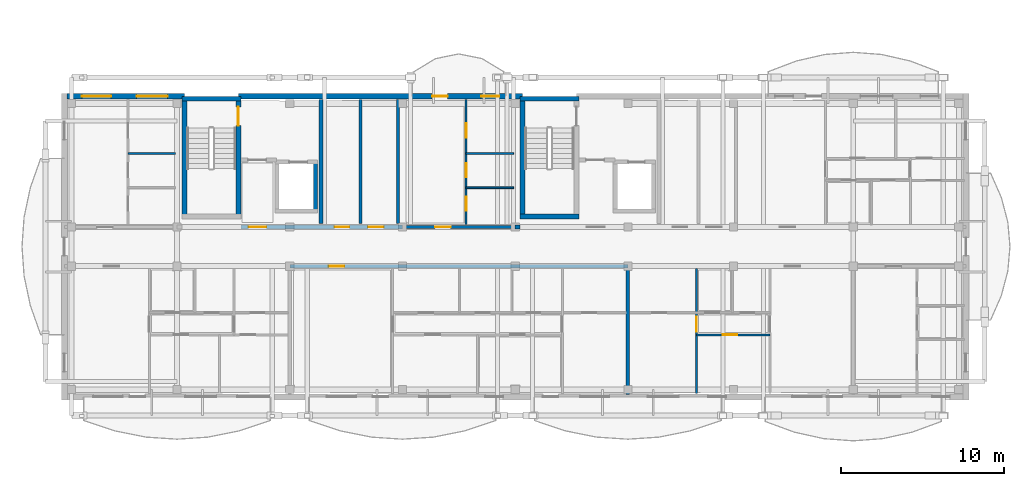
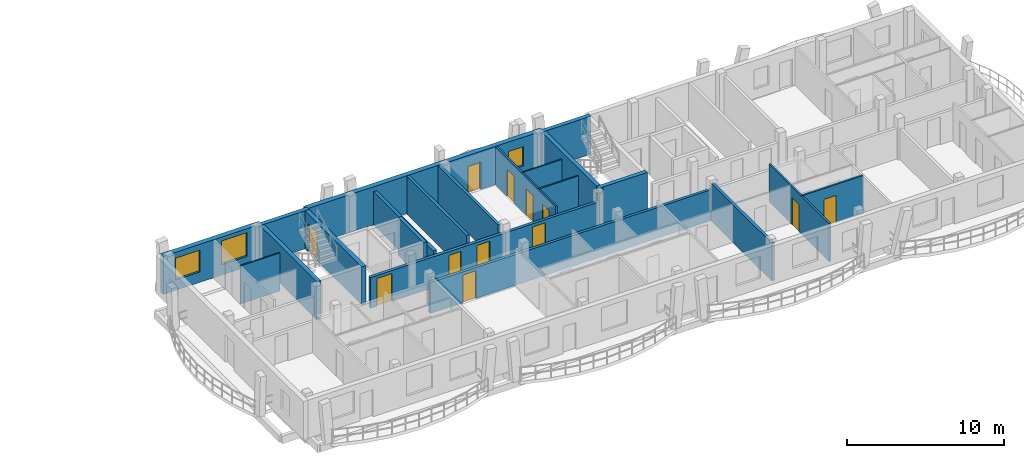
# One storey, part 17 of 48: 23 walls, 12 doors, 3 windows, 15 openings.
"""IFC4 building model written with IfcOpenShell, lengths in metres."""

from ifc_helpers import new_model, si_unit, direction, frame, frame_2d, origin, origin_with_axes, place, context, subcontext, project, spatial, rectangle, extrude, material, layer, layer_set, type_object, element, fill, save


model = new_model("IFC4")

# Units and contexts
model_context = context("Model", 3, precision=1e-05, world=origin(), true_north=direction((0.0, 1.0)))
body_context = subcontext(model_context, "Body", "Model", "MODEL_VIEW")
ifc_project = project(units=[si_unit("LENGTHUNIT", "METRE"), si_unit("AREAUNIT", "SQUARE_METRE"), si_unit("VOLUMEUNIT", "CUBIC_METRE"), si_unit("PLANEANGLEUNIT", "RADIAN"), si_unit("MASSUNIT", "GRAM", prefix="KILO")], contexts=[model_context])

# Site, building, storey
site_placement = place(None, origin())
site = spatial("IfcSite", under=ifc_project, at=site_placement, CompositionType="ELEMENT")
building_placement = place(site_placement, origin())
building = spatial("IfcBuilding", under=site, at=building_placement, Name="Zavelmont Quarter", CompositionType="ELEMENT")
storey_placement = place(building_placement, frame((0.0, 0.0, 17.60009765625)))
storey = spatial("IfcBuildingStorey", under=building, at=storey_placement, Name="L05", CompositionType="ELEMENT", Elevation=17.60009765625)

# Wall, openings, windows
ifc_material_1 = material(Name="Natural Belgian limestone", Category="masonry")
ifc_layer_1 = layer(ifc_material_1, 0.360107421875)
ifc_layer_set_1 = layer_set([ifc_layer_1], Name="Natural Belgian limestone")
wall_type_1 = type_object("IfcWallType", Name="EW02", PredefinedType="STANDARD", material=ifc_layer_set_1)
wall_1_placement = place(storey_placement, frame((0.169921875, 18.39990234375, 0.0), z_axis=(0.0, 0.0, 1.0), x_axis=(1.0, 0.0, 0.0)))
wall_1 = element("IfcWall", 1, at=wall_1_placement, inside=storey, type_object=wall_type_1, Name="L05 exterior limestone wall EW02", PredefinedType="STANDARD", context=body_context, shape_type="SweptSolid", body=[
    extrude(rectangle(XDim=7.18017578125, YDim=0.360107421875, at=frame_2d((3.590087890625, 0.0))), origin(), (0.0, 0.0, 1.0), 2.949951171875),
])
opening_1_placement = place(wall_1_placement, frame((0.89990234375, 0.0, 0.800048828125)))
opening_1 = element("IfcOpeningElement", 2, at=opening_1_placement, cuts=wall_1, Name="Opening WN02", PredefinedType="OPENING", context=body_context, shape_type="SweptSolid", body=[
    extrude(rectangle(XDim=1.800048828125, YDim=1.699951171875, at=frame_2d((0.89990234375, 0.85009765625))), frame((0.0, 0.19189453125, 0.0), z_axis=(0.0, -1.0, 0.0), x_axis=(1.0, 0.0, 0.0)), (0.0, 0.0, 1.0), 0.384033203125),
])
opening_2_placement = place(wall_1_placement, frame((4.25, 0.0, 0.800048828125)))
opening_2 = element("IfcOpeningElement", 3, at=opening_2_placement, cuts=wall_1, Name="Opening WN20", PredefinedType="OPENING", context=body_context, shape_type="SweptSolid", body=[
    extrude(rectangle(XDim=1.89990234375, YDim=1.85009765625, at=frame_2d((0.949951171875, 0.925048828125))), frame((0.0, 0.19189453125, 0.0), z_axis=(0.0, -1.0, 0.0), x_axis=(1.0, 0.0, 0.0)), (0.0, 0.0, 1.0), 0.384033203125),
])
ifc_material_2 = material(Name="Double low-E insulated glazing in thermally broken aluminium frame", Category="aluminium")
window_type_1 = type_object("IfcWindowType", Name="WN02", PartitioningType="SINGLE_PANEL", PredefinedType="WINDOW", material=ifc_material_2)
window_1_placement = place(opening_1_placement, origin_with_axes())
window_1 = element("IfcWindow", 4, at=window_1_placement, inside=storey, type_object=window_type_1, Name="L05 window WN02", OverallHeight=1.699951171875, OverallWidth=1.800048828125, PartitioningType="SINGLE_PANEL", PredefinedType="WINDOW", context=body_context, shape_type="SweptSolid", body=[
    extrude(rectangle(XDim=1.800048828125, YDim=1.699951171875, at=frame_2d((0.89990234375, 0.85009765625))), frame((0.0, 0.030029296875, 0.0), z_axis=(0.0, -1.0, 0.0), x_axis=(1.0, 0.0, 0.0)), (0.0, 0.0, 1.0), 0.06005859375),
])
fill(opening_1, window_1)
window_type_2 = type_object("IfcWindowType", Name="WN20", PartitioningType="SINGLE_PANEL", PredefinedType="WINDOW", material=ifc_material_2)
window_2_placement = place(opening_2_placement, origin_with_axes())
window_2 = element("IfcWindow", 5, at=window_2_placement, inside=storey, type_object=window_type_2, Name="L05 window WN20", OverallHeight=1.85009765625, OverallWidth=1.89990234375, PartitioningType="SINGLE_PANEL", PredefinedType="WINDOW", context=body_context, shape_type="SweptSolid", body=[
    extrude(rectangle(XDim=1.89990234375, YDim=1.85009765625, at=frame_2d((0.949951171875, 0.925048828125))), frame((0.0, 0.030029296875, 0.0), z_axis=(0.0, -1.0, 0.0), x_axis=(1.0, 0.0, 0.0)), (0.0, 0.0, 1.0), 0.06005859375),
])
fill(opening_2, window_2)

# Wall, openings, door, window
wall_2_placement = place(storey_placement, frame((10.64990234375, 18.39990234375, 0.0), z_axis=(0.0, 0.0, 1.0), x_axis=(1.0, 0.0, 0.0)))
wall_2 = element("IfcWall", 6, at=wall_2_placement, inside=storey, type_object=wall_type_1, Name="L05 exterior limestone wall EW02", PredefinedType="STANDARD", context=body_context, shape_type="SweptSolid", body=[
    extrude(rectangle(XDim=17.400146484375, YDim=0.360107421875, at=frame_2d((8.7001953125, 0.0))), origin(), (0.0, 0.0, 1.0), 2.949951171875),
])
opening_3_placement = place(wall_2_placement, frame((11.8701171875, 0.0, 0.0)))
opening_3 = element("IfcOpeningElement", 7, at=opening_3_placement, cuts=wall_2, Name="Opening DR04", PredefinedType="OPENING", context=body_context, shape_type="SweptSolid", body=[
    extrude(rectangle(XDim=0.949951171875, YDim=2.10009765625, at=frame_2d((0.47509765625, 1.050048828125))), frame((0.0, 0.19189453125, 0.0), z_axis=(0.0, -1.0, 0.0), x_axis=(1.0, 0.0, 0.0)), (0.0, 0.0, 1.0), 0.384033203125),
])
opening_4_placement = place(wall_2_placement, frame((14.8701171875, 0.0, 0.719970703125)))
opening_4 = element("IfcOpeningElement", 8, at=opening_4_placement, cuts=wall_2, Name="Opening WN09", PredefinedType="OPENING", context=body_context, shape_type="SweptSolid", body=[
    extrude(rectangle(XDim=1.10009765625, YDim=1.5, at=frame_2d((0.550048828125, 0.75))), frame((0.0, 0.19189453125, 0.0), z_axis=(0.0, -1.0, 0.0), x_axis=(1.0, 0.0, 0.0)), (0.0, 0.0, 1.0), 0.384033203125),
])
ifc_material_3 = material(Name="Thermally broken aluminium and double safety glass", Category="aluminium")
door_type_1 = type_object("IfcDoorType", Name="DR04", OperationType="NOTDEFINED", PredefinedType="DOOR", material=ifc_material_3)
door_1_placement = place(opening_3_placement, frame((0.949951171875, 0.0, 0.0), z_axis=(0.0, 0.0, 1.0), x_axis=(-1.0, 0.0, 0.0)))
door_1 = element("IfcDoor", 9, at=door_1_placement, inside=storey, type_object=door_type_1, Name="Block A L05 glazed balcony door", OperationType="SINGLE_SWING_LEFT", OverallHeight=2.10009765625, OverallWidth=0.949951171875, PredefinedType="DOOR", context=body_context, shape_type="SweptSolid", body=[
    extrude(rectangle(XDim=0.949951171875, YDim=2.10009765625, at=frame_2d((0.47509765625, 1.050048828125))), frame((0.0, 0.02490234375, 0.0), z_axis=(0.0, -1.0, 0.0), x_axis=(1.0, 0.0, 0.0)), (0.0, 0.0, 1.0), 0.050048828125),
])
fill(opening_3, door_1)
window_type_3 = type_object("IfcWindowType", Name="WN09", PartitioningType="SINGLE_PANEL", PredefinedType="WINDOW", material=ifc_material_2)
window_3_placement = place(opening_4_placement, origin_with_axes())
window_3 = element("IfcWindow", 10, at=window_3_placement, inside=storey, type_object=window_type_3, Name="L05 window WN09", OverallHeight=1.5, OverallWidth=1.10009765625, PartitioningType="SINGLE_PANEL", PredefinedType="WINDOW", context=body_context, shape_type="SweptSolid", body=[
    extrude(rectangle(XDim=1.10009765625, YDim=1.5, at=frame_2d((0.550048828125, 0.75))), frame((0.0, 0.030029296875, 0.0), z_axis=(0.0, -1.0, 0.0), x_axis=(1.0, 0.0, 0.0)), (0.0, 0.0, 1.0), 0.06005859375),
])
fill(opening_4, window_3)

# Walls
ifc_material_4 = material(Name="Calcium-silicate blockwork and acoustic plaster", Category="masonry")
ifc_layer_2 = layer(ifc_material_4, 0.199951171875)
ifc_layer_set_2 = layer_set([ifc_layer_2], Name="Calcium-silicate blockwork and acoustic plaster")
wall_type_2 = type_object("IfcWallType", Name="IW01", PredefinedType="PARTITIONING", material=ifc_layer_set_2)
for number, where, z_axis, x_axis, name in (
    (11, (18.125, 10.60009765625, 0.0), (0.0, 0.0, 1.0), (0.0, 1.0, 0.0), "L05 Service riser divider wall IW01"),
    (12, (20.419921875, 10.60009765625, 0.0), (0.0, 0.0, 1.0), (0.0, 1.0, 0.0), "L05 Core service end wall IW01"),
):
    element("IfcWall", number, at=place(storey_placement, frame(where, z_axis=z_axis, x_axis=x_axis)), inside=storey, type_object=wall_type_2, Name=name, PredefinedType="PARTITIONING", context=body_context, shape_type="SweptSolid", body=[
        extrude(rectangle(XDim=7.599853515625, YDim=0.199951171875, at=frame_2d((3.7998046875, 0.0))), origin(), (0.0, 0.0, 1.0), 2.949951171875),
    ])
wall_3_placement = place(storey_placement, frame((34.5, 7.85009765625, 0.0), z_axis=(0.0, 0.0, 1.0), x_axis=(0.0, -1.0, 0.0)))
element("IfcWall", 13, at=wall_3_placement, inside=storey, type_object=wall_type_2, Name="L05 Inter-dwelling compartment wall IW01", PredefinedType="PARTITIONING", context=body_context, shape_type="SweptSolid", body=[
    extrude(rectangle(XDim=7.7001953125, YDim=0.199951171875, at=frame_2d((3.85009765625, 0.0))), origin(), (0.0, 0.0, 1.0), 2.949951171875),
])

# Wall, opening, door
wall_4_placement = place(storey_placement, frame((13.800048828125, 8.0, 0.0), z_axis=(0.0, 0.0, 1.0), x_axis=(1.0, 0.0, 0.0)))
wall_4 = element("IfcWall", 14, at=wall_4_placement, inside=storey, type_object=wall_type_2, Name="L05 Corridor compartment wall IW01", PredefinedType="PARTITIONING", context=body_context, shape_type="SweptSolid", body=[
    extrude(rectangle(XDim=20.699951171875, YDim=0.199951171875, at=frame_2d((10.35009765625, 0.0))), origin(), (0.0, 0.0, 1.0), 2.389892578125),
])
opening_5_placement = place(wall_4_placement, frame((2.39990234375, 0.0, 0.0)))
opening_5 = element("IfcOpeningElement", 15, at=opening_5_placement, cuts=wall_4, Name="Opening DR02", PredefinedType="OPENING", context=body_context, shape_type="SweptSolid", body=[
    extrude(rectangle(XDim=0.949951171875, YDim=2.14990234375, at=frame_2d((0.47509765625, 1.074951171875))), frame((0.0, 0.11181640625, 0.0), z_axis=(0.0, -1.0, 0.0), x_axis=(1.0, 0.0, 0.0)), (0.0, 0.0, 1.0), 0.223876953125),
])
ifc_material_5 = material(Name="Solid-core oak fire leaf in steel frame", Category="steel")
door_type_2 = type_object("IfcDoorType", Name="DR02", OperationType="NOTDEFINED", PredefinedType="DOOR", material=ifc_material_5)
door_2_placement = place(opening_5_placement, frame((0.949951171875, 0.0, 0.0), z_axis=(0.0, 0.0, 1.0), x_axis=(-1.0, 0.0, 0.0)))
door_2 = element("IfcDoor", 16, at=door_2_placement, inside=storey, type_object=door_type_2, Name="L05 door DR02", OperationType="SINGLE_SWING_RIGHT", OverallHeight=2.14990234375, OverallWidth=0.949951171875, PredefinedType="DOOR", context=body_context, shape_type="SweptSolid", body=[
    extrude(rectangle(XDim=0.949951171875, YDim=2.14990234375, at=frame_2d((0.47509765625, 1.074951171875))), frame((0.0, 0.02490234375, 0.0), z_axis=(0.0, -1.0, 0.0), x_axis=(1.0, 0.0, 0.0)), (0.0, 0.0, 1.0), 0.050048828125),
])
fill(opening_5, door_2)

wall_5_placement = place(storey_placement, frame((20.699951171875, 10.39990234375, 0.0), z_axis=(0.0, 0.0, 1.0), x_axis=(1.0, 0.0, 0.0)))
wall_5 = element("IfcWall", 17, at=wall_5_placement, inside=storey, type_object=wall_type_2, Name="L05 Corridor compartment wall IW01", PredefinedType="PARTITIONING", context=body_context, shape_type="SweptSolid", body=[
    extrude(rectangle(XDim=6.900146484375, YDim=0.199951171875, at=frame_2d((3.4501953125, 0.0))), origin(), (0.0, 0.0, 1.0), 2.389892578125),
])
opening_6_placement = place(wall_5_placement, frame((2.0, 0.0, 0.0)))
opening_6 = element("IfcOpeningElement", 18, at=opening_6_placement, cuts=wall_5, Name="Opening DR02", PredefinedType="OPENING", context=body_context, shape_type="SweptSolid", body=[
    extrude(rectangle(XDim=0.949951171875, YDim=2.14990234375, at=frame_2d((0.47509765625, 1.074951171875))), frame((0.0, 0.11181640625, 0.0), z_axis=(0.0, -1.0, 0.0), x_axis=(1.0, 0.0, 0.0)), (0.0, 0.0, 1.0), 0.223876953125),
])
door_3_placement = place(opening_6_placement, origin_with_axes())
door_3 = element("IfcDoor", 19, at=door_3_placement, inside=storey, type_object=door_type_2, Name="L05 door DR02", OperationType="SINGLE_SWING_LEFT", OverallHeight=2.14990234375, OverallWidth=0.949951171875, PredefinedType="DOOR", context=body_context, shape_type="SweptSolid", body=[
    extrude(rectangle(XDim=0.949951171875, YDim=2.14990234375, at=frame_2d((0.47509765625, 1.074951171875))), frame((0.0, 0.02490234375, 0.0), z_axis=(0.0, -1.0, 0.0), x_axis=(1.0, 0.0, 0.0)), (0.0, 0.0, 1.0), 0.050048828125),
])
fill(opening_6, door_3)

# Wall
ifc_material_6 = material(Name="Reinforced masonry fire compartment wall", Category="masonry")
ifc_layer_3 = layer(ifc_material_6, 0.22509765625)
ifc_layer_set_3 = layer_set([ifc_layer_3], Name="Reinforced masonry fire compartment wall")
wall_type_3 = type_object("IfcWallType", Name="IW02", PredefinedType="PARTITIONING", material=ifc_layer_set_3)
wall_6_placement = place(storey_placement, frame((15.7099609375, 10.60009765625, 0.0), z_axis=(0.0, 0.0, 1.0), x_axis=(0.0, 1.0, 0.0)))
element("IfcWall", 20, at=wall_6_placement, inside=storey, type_object=wall_type_3, Name="L05 Firefighting lobby enclosure wall IW02", PredefinedType="PARTITIONING", context=body_context, shape_type="SweptSolid", body=[
    extrude(rectangle(XDim=7.599853515625, YDim=0.22509765625, at=frame_2d((3.7998046875, 0.0))), origin(), (0.0, 0.0, 1.0), 2.58984375),
])

# Wall, openings, doors
wall_7_placement = place(storey_placement, frame((10.800048828125, 10.39990234375, 0.0), z_axis=(0.0, 0.0, 1.0), x_axis=(1.0, 0.0, 0.0)))
wall_7 = element("IfcWall", 21, at=wall_7_placement, inside=storey, type_object=wall_type_3, Name="L05 Core corridor fire wall IW02", PredefinedType="PARTITIONING", context=body_context, shape_type="SweptSolid", body=[
    extrude(rectangle(XDim=9.89990234375, YDim=0.22509765625, at=frame_2d((4.949951171875, 0.0))), origin(), (0.0, 0.0, 1.0), 2.389892578125),
])
opening_7_placement = place(wall_7_placement, frame((0.47509765625, 0.0, 0.0)))
opening_7 = element("IfcOpeningElement", 22, at=opening_7_placement, cuts=wall_7, Name="Opening DR10", PredefinedType="OPENING", context=body_context, shape_type="SweptSolid", body=[
    extrude(rectangle(XDim=1.10009765625, YDim=2.14990234375, at=frame_2d((0.550048828125, 1.074951171875))), frame((0.0, 0.12451171875, 0.0), z_axis=(0.0, -1.0, 0.0), x_axis=(1.0, 0.0, 0.0)), (0.0, 0.0, 1.0), 0.2490234375),
])
opening_8_placement = place(wall_7_placement, frame((5.75, 0.0, 0.0)))
opening_8 = element("IfcOpeningElement", 23, at=opening_8_placement, cuts=wall_7, Name="Opening DR11", PredefinedType="OPENING", context=body_context, shape_type="SweptSolid", body=[
    extrude(rectangle(XDim=0.89990234375, YDim=2.10009765625, at=frame_2d((0.449951171875, 1.050048828125))), frame((0.0, 0.12451171875, 0.0), z_axis=(0.0, -1.0, 0.0), x_axis=(1.0, 0.0, 0.0)), (0.0, 0.0, 1.0), 0.2490234375),
])
opening_9_placement = place(wall_7_placement, frame((7.800048828125, 0.0, 0.0)))
opening_9 = element("IfcOpeningElement", 24, at=opening_9_placement, cuts=wall_7, Name="Opening DR02", PredefinedType="OPENING", context=body_context, shape_type="SweptSolid", body=[
    extrude(rectangle(XDim=0.949951171875, YDim=2.14990234375, at=frame_2d((0.47509765625, 1.074951171875))), frame((0.0, 0.12451171875, 0.0), z_axis=(0.0, -1.0, 0.0), x_axis=(1.0, 0.0, 0.0)), (0.0, 0.0, 1.0), 0.2490234375),
])
door_4_placement = place(opening_9_placement, frame((0.949951171875, 0.0, 0.0), z_axis=(0.0, 0.0, 1.0), x_axis=(-1.0, 0.0, 0.0)))
door_4 = element("IfcDoor", 25, at=door_4_placement, inside=storey, type_object=door_type_2, Name="Auxiliary store corridor door", OperationType="SINGLE_SWING_RIGHT", OverallHeight=2.14990234375, OverallWidth=0.949951171875, PredefinedType="DOOR", context=body_context, shape_type="SweptSolid", body=[
    extrude(rectangle(XDim=0.949951171875, YDim=2.14990234375, at=frame_2d((0.47509765625, 1.074951171875))), frame((0.0, 0.02490234375, 0.0), z_axis=(0.0, -1.0, 0.0), x_axis=(1.0, 0.0, 0.0)), (0.0, 0.0, 1.0), 0.050048828125),
])
fill(opening_9, door_4)
ifc_material_7 = material(Name="Painted steel lobby fire door", Category="steel")
door_type_3 = type_object("IfcDoorType", Name="DR10", OperationType="NOTDEFINED", PredefinedType="DOOR", material=ifc_material_7)
door_5_placement = place(opening_7_placement, origin_with_axes())
door_5 = element("IfcDoor", 26, at=door_5_placement, inside=storey, type_object=door_type_3, Name="Core vestibule fire door", OperationType="SINGLE_SWING_RIGHT", OverallHeight=2.14990234375, OverallWidth=1.10009765625, PredefinedType="DOOR", context=body_context, shape_type="SweptSolid", body=[
    extrude(rectangle(XDim=1.10009765625, YDim=2.14990234375, at=frame_2d((0.550048828125, 1.074951171875))), frame((0.0, 0.02490234375, 0.0), z_axis=(0.0, -1.0, 0.0), x_axis=(1.0, 0.0, 0.0)), (0.0, 0.0, 1.0), 0.050048828125),
])
fill(opening_7, door_5)
ifc_material_8 = material(Name="Painted steel service-riser fire door", Category="steel")
door_type_4 = type_object("IfcDoorType", Name="DR11", OperationType="NOTDEFINED", PredefinedType="DOOR", material=ifc_material_8)
door_6_placement = place(opening_8_placement, frame((0.89990234375, 0.0, 0.0), z_axis=(0.0, 0.0, 1.0), x_axis=(-1.0, 0.0, 0.0)))
door_6 = element("IfcDoor", 27, at=door_6_placement, inside=storey, type_object=door_type_4, Name="Service riser fire door", OperationType="SINGLE_SWING_LEFT", OverallHeight=2.10009765625, OverallWidth=0.89990234375, PredefinedType="DOOR", context=body_context, shape_type="SweptSolid", body=[
    extrude(rectangle(XDim=0.89990234375, YDim=2.10009765625, at=frame_2d((0.449951171875, 1.050048828125))), frame((0.0, 0.02490234375, 0.0), z_axis=(0.0, -1.0, 0.0), x_axis=(1.0, 0.0, 0.0)), (0.0, 0.0, 1.0), 0.050048828125),
])
fill(opening_8, door_6)

# Wall
wall_8_placement = place(storey_placement, frame((27.60009765625, 10.39990234375, 0.0), z_axis=(0.0, 0.0, 1.0), x_axis=(1.0, 0.0, 0.0)))
element("IfcWall", 28, at=wall_8_placement, inside=storey, type_object=wall_type_3, Name="L05 Core corridor wall IW02", PredefinedType="PARTITIONING", context=body_context, shape_type="SweptSolid", body=[
    extrude(rectangle(XDim=0.2998046875, YDim=0.22509765625, at=frame_2d((0.14990234375, 0.0))), origin(), (0.0, 0.0, 1.0), 2.949951171875),
])

# Wall, opening, door
ifc_material_9 = material(Name="Double gypsum board on acoustic steel stud", Category="steel")
ifc_layer_4 = layer(ifc_material_9, 0.125)
ifc_layer_set_4 = layer_set([ifc_layer_4], Name="Double gypsum board on acoustic steel stud")
wall_type_4 = type_object("IfcWallType", Name="IW03", PredefinedType="PARTITIONING", material=ifc_layer_set_4)
wall_9_placement = place(storey_placement, frame((38.699951171875, 7.85009765625, 0.0), z_axis=(0.0, 0.0, 1.0), x_axis=(0.0, -1.0, 0.0)))
wall_9 = element("IfcWall", 29, at=wall_9_placement, inside=storey, type_object=wall_type_4, Name="L05 Partition IW03", PredefinedType="PARTITIONING", context=body_context, shape_type="SweptSolid", body=[
    extrude(rectangle(XDim=7.650146484375, YDim=0.125, at=frame_2d((3.8251953125, 0.0))), origin(), (0.0, 0.0, 1.0), 2.949951171875),
])
opening_10_placement = place(wall_9_placement, frame((2.949951171875, 0.0, 0.0)))
opening_10 = element("IfcOpeningElement", 30, at=opening_10_placement, cuts=wall_9, Name="Opening DR05", PredefinedType="OPENING", context=body_context, shape_type="SweptSolid", body=[
    extrude(rectangle(XDim=0.89990234375, YDim=2.10009765625, at=frame_2d((0.449951171875, 1.050048828125))), frame((0.0, 0.074462890625, 0.0), z_axis=(0.0, -1.0, 0.0), x_axis=(1.0, 0.0, 0.0)), (0.0, 0.0, 1.0), 0.14892578125),
])
ifc_material_10 = material(Name="Engineered oak flush interior door")
door_type_5 = type_object("IfcDoorType", Name="DR05", OperationType="NOTDEFINED", PredefinedType="DOOR", material=ifc_material_10)
door_7_placement = place(opening_10_placement, origin_with_axes())
door_7 = element("IfcDoor", 31, at=door_7_placement, inside=storey, type_object=door_type_5, Name="L05 door DR05", OperationType="SINGLE_SWING_LEFT", OverallHeight=2.10009765625, OverallWidth=0.89990234375, PredefinedType="DOOR", context=body_context, shape_type="SweptSolid", body=[
    extrude(rectangle(XDim=0.89990234375, YDim=2.10009765625, at=frame_2d((0.449951171875, 1.050048828125))), frame((0.0, 0.02490234375, 0.0), z_axis=(0.0, -1.0, 0.0), x_axis=(1.0, 0.0, 0.0)), (0.0, 0.0, 1.0), 0.050048828125),
])
fill(opening_10, door_7)

wall_10_placement = place(storey_placement, frame((38.699951171875, 3.800048828125, 0.0), z_axis=(0.0, 0.0, 1.0), x_axis=(1.0, 0.0, 0.0)))
wall_10 = element("IfcWall", 32, at=wall_10_placement, inside=storey, type_object=wall_type_4, Name="L05 Partition IW03", PredefinedType="PARTITIONING", context=body_context, shape_type="SweptSolid", body=[
    extrude(rectangle(XDim=4.5, YDim=0.125, at=frame_2d((2.25, 0.0))), origin(), (0.0, 0.0, 1.0), 2.949951171875),
])
opening_11_placement = place(wall_10_placement, frame((1.60009765625, 0.0, 0.0)))
opening_11 = element("IfcOpeningElement", 33, at=opening_11_placement, cuts=wall_10, Name="Opening DR05", PredefinedType="OPENING", context=body_context, shape_type="SweptSolid", body=[
    extrude(rectangle(XDim=0.89990234375, YDim=2.10009765625, at=frame_2d((0.449951171875, 1.050048828125))), frame((0.0, 0.074462890625, 0.0), z_axis=(0.0, -1.0, 0.0), x_axis=(1.0, 0.0, 0.0)), (0.0, 0.0, 1.0), 0.14892578125),
])
door_8_placement = place(opening_11_placement, origin_with_axes())
door_8 = element("IfcDoor", 34, at=door_8_placement, inside=storey, type_object=door_type_5, Name="L05 door DR05", OperationType="SINGLE_SWING_LEFT", OverallHeight=2.10009765625, OverallWidth=0.89990234375, PredefinedType="DOOR", context=body_context, shape_type="SweptSolid", body=[
    extrude(rectangle(XDim=0.89990234375, YDim=2.10009765625, at=frame_2d((0.449951171875, 1.050048828125))), frame((0.0, 0.02490234375, 0.0), z_axis=(0.0, -1.0, 0.0), x_axis=(1.0, 0.0, 0.0)), (0.0, 0.0, 1.0), 0.050048828125),
])
fill(opening_11, door_8)

# Wall, openings, doors
wall_11_placement = place(storey_placement, frame((24.60009765625, 10.550048828125, 0.0), z_axis=(0.0, 0.0, 1.0), x_axis=(0.0, 1.0, 0.0)))
wall_11 = element("IfcWall", 35, at=wall_11_placement, inside=storey, type_object=wall_type_4, Name="L05 Partition IW03", PredefinedType="PARTITIONING", context=body_context, shape_type="SweptSolid", body=[
    extrude(rectangle(XDim=7.64990234375, YDim=0.125, at=frame_2d((3.824951171875, 0.0))), origin(), (0.0, 0.0, 1.0), 2.949951171875),
])
opening_12_placement = place(wall_11_placement, frame((0.85009765625, 0.0, 0.0)))
opening_12 = element("IfcOpeningElement", 36, at=opening_12_placement, cuts=wall_11, Name="Opening DR16", PredefinedType="OPENING", context=body_context, shape_type="SweptSolid", body=[
    extrude(rectangle(XDim=0.85009765625, YDim=2.10009765625, at=frame_2d((0.425048828125, 1.050048828125))), frame((0.0, 0.074462890625, 0.0), z_axis=(0.0, -1.0, 0.0), x_axis=(1.0, 0.0, 0.0)), (0.0, 0.0, 1.0), 0.14892578125),
])
opening_13_placement = place(wall_11_placement, frame((2.89990234375, 0.0, 0.0)))
opening_13 = element("IfcOpeningElement", 37, at=opening_13_placement, cuts=wall_11, Name="Opening DR06", PredefinedType="OPENING", context=body_context, shape_type="SweptSolid", body=[
    extrude(rectangle(XDim=0.85009765625, YDim=2.050048828125, at=frame_2d((0.425048828125, 1.02490234375))), frame((0.0, 0.074462890625, 0.0), z_axis=(0.0, -1.0, 0.0), x_axis=(1.0, 0.0, 0.0)), (0.0, 0.0, 1.0), 0.14892578125),
])
opening_14_placement = place(wall_11_placement, frame((5.300048828125, 0.0, 0.0)))
opening_14 = element("IfcOpeningElement", 38, at=opening_14_placement, cuts=wall_11, Name="Opening DR05", PredefinedType="OPENING", context=body_context, shape_type="SweptSolid", body=[
    extrude(rectangle(XDim=0.89990234375, YDim=2.10009765625, at=frame_2d((0.449951171875, 1.050048828125))), frame((0.0, 0.074462890625, 0.0), z_axis=(0.0, -1.0, 0.0), x_axis=(1.0, 0.0, 0.0)), (0.0, 0.0, 1.0), 0.14892578125),
])
door_9_placement = place(opening_14_placement, origin_with_axes())
door_9 = element("IfcDoor", 39, at=door_9_placement, inside=storey, type_object=door_type_5, Name="L05 door DR05", OperationType="SINGLE_SWING_LEFT", OverallHeight=2.10009765625, OverallWidth=0.89990234375, PredefinedType="DOOR", context=body_context, shape_type="SweptSolid", body=[
    extrude(rectangle(XDim=0.89990234375, YDim=2.10009765625, at=frame_2d((0.449951171875, 1.050048828125))), frame((0.0, 0.02490234375, 0.0), z_axis=(0.0, -1.0, 0.0), x_axis=(1.0, 0.0, 0.0)), (0.0, 0.0, 1.0), 0.050048828125),
])
fill(opening_14, door_9)
ifc_material_11 = material(Name="Moisture-resistant painted wet-room door")
door_type_6 = type_object("IfcDoorType", Name="DR06", OperationType="NOTDEFINED", PredefinedType="DOOR", material=ifc_material_11)
door_10_placement = place(opening_13_placement, frame((0.85009765625, 0.0, 0.0), z_axis=(0.0, 0.0, 1.0), x_axis=(-1.0, 0.0, 0.0)))
door_10 = element("IfcDoor", 40, at=door_10_placement, inside=storey, type_object=door_type_6, Name="L05 door DR06", OperationType="SINGLE_SWING_RIGHT", OverallHeight=2.050048828125, OverallWidth=0.85009765625, PredefinedType="DOOR", context=body_context, shape_type="SweptSolid", body=[
    extrude(rectangle(XDim=0.85009765625, YDim=2.050048828125, at=frame_2d((0.425048828125, 1.02490234375))), frame((0.0, 0.02490234375, 0.0), z_axis=(0.0, -1.0, 0.0), x_axis=(1.0, 0.0, 0.0)), (0.0, 0.0, 1.0), 0.050048828125),
])
fill(opening_13, door_10)
door_type_7 = type_object("IfcDoorType", Name="DR16", OperationType="NOTDEFINED", PredefinedType="DOOR", material=ifc_material_10)
door_11_placement = place(opening_12_placement, origin_with_axes())
door_11 = element("IfcDoor", 41, at=door_11_placement, inside=storey, type_object=door_type_7, Name="L05 door DR16", OperationType="SINGLE_SWING_LEFT", OverallHeight=2.10009765625, OverallWidth=0.85009765625, PredefinedType="DOOR", context=body_context, shape_type="SweptSolid", body=[
    extrude(rectangle(XDim=0.85009765625, YDim=2.10009765625, at=frame_2d((0.425048828125, 1.050048828125))), frame((0.0, 0.02490234375, 0.0), z_axis=(0.0, -1.0, 0.0), x_axis=(1.0, 0.0, 0.0)), (0.0, 0.0, 1.0), 0.050048828125),
])
fill(opening_12, door_11)

# Walls
ifc_material_12 = material(Name="Moisture-resistant gypsum board on steel stud", Category="steel")
ifc_layer_5 = layer(ifc_material_12, 0.10009765625)
ifc_layer_set_5 = layer_set([ifc_layer_5], Name="Moisture-resistant gypsum board on steel stud")
wall_type_5 = type_object("IfcWallType", Name="IW04", PredefinedType="PARTITIONING", material=ifc_layer_set_5)
wall_12_placement = place(storey_placement, frame((3.89990234375, 14.89990234375, 0.0), z_axis=(0.0, 0.0, 1.0), x_axis=(1.0, 0.0, 0.0)))
element("IfcWall", 42, at=wall_12_placement, inside=storey, type_object=wall_type_5, Name="L05 Partition IW04", PredefinedType="PARTITIONING", context=body_context, shape_type="SweptSolid", body=[
    extrude(rectangle(XDim=2.900146484375, YDim=0.10009765625, at=frame_2d((1.4501953125, 0.0))), origin(), (0.0, 0.0, 1.0), 2.949951171875),
])
for number, where, z_axis, x_axis, name in (
    (43, (24.60009765625, 12.800048828125, 0.0), (0.0, 0.0, 1.0), (1.0, 0.0, 0.0), "L05 Partition IW04"),
    (44, (24.60009765625, 14.89990234375, 0.0), (0.0, 0.0, 1.0), (1.0, 0.0, 0.0), "L05 Partition IW04"),
):
    element("IfcWall", number, at=place(storey_placement, frame(where, z_axis=z_axis, x_axis=x_axis)), inside=storey, type_object=wall_type_5, Name=name, PredefinedType="PARTITIONING", context=body_context, shape_type="SweptSolid", body=[
        extrude(rectangle(XDim=2.89990234375, YDim=0.10009765625, at=frame_2d((1.449951171875, 0.0))), origin(), (0.0, 0.0, 1.0), 2.949951171875),
    ])
ifc_material_13 = material(Name="Concrete C40/50", Category="concrete")
ifc_layer_6 = layer(ifc_material_13, 0.300048828125)
ifc_layer_set_6 = layer_set([ifc_layer_6], Name="Concrete C40/50")
wall_type_6 = type_object("IfcWallType", Name="SW01", PredefinedType="SHEAR", material=ifc_layer_set_6)
wall_13_placement = place(storey_placement, frame((7.35009765625, 10.89990234375, 0.0), z_axis=(0.0, 0.0, 1.0), x_axis=(0.0, 1.0, 0.0)))
element("IfcWall", 45, at=wall_13_placement, inside=storey, type_object=wall_type_6, Name="L05 ST01 west shear wall SW01", PredefinedType="SHEAR", context=body_context, shape_type="SweptSolid", body=[
    extrude(rectangle(XDim=7.5, YDim=0.300048828125, at=frame_2d((3.75, 0.0))), origin(), (0.0, 0.0, 1.0), 2.949951171875),
])

# Wall, opening, door
wall_14_placement = place(storey_placement, frame((10.64990234375, 10.89990234375, 0.0), z_axis=(0.0, 0.0, 1.0), x_axis=(0.0, 1.0, 0.0)))
wall_14 = element("IfcWall", 46, at=wall_14_placement, inside=storey, type_object=wall_type_6, Name="L05 ST01 lobby shear wall SW01", PredefinedType="SHEAR", context=body_context, shape_type="SweptSolid", body=[
    extrude(rectangle(XDim=7.5, YDim=0.300048828125, at=frame_2d((3.75, 0.0))), origin(), (0.0, 0.0, 1.0), 2.949951171875),
])
opening_15_placement = place(wall_14_placement, frame((5.699951171875, 0.0, 0.0)))
opening_15 = element("IfcOpeningElement", 47, at=opening_15_placement, cuts=wall_14, Name="Opening DR09", PredefinedType="OPENING", context=body_context, shape_type="SweptSolid", body=[
    extrude(rectangle(XDim=1.14990234375, YDim=2.14990234375, at=frame_2d((0.574951171875, 1.074951171875))), frame((0.0, 0.162109375, 0.0), z_axis=(0.0, -1.0, 0.0), x_axis=(1.0, 0.0, 0.0)), (0.0, 0.0, 1.0), 0.323974609375),
])
ifc_material_14 = material(Name="Painted steel stair-core fire door", Category="steel")
door_type_8 = type_object("IfcDoorType", Name="DR09", OperationType="NOTDEFINED", PredefinedType="DOOR", material=ifc_material_14)
door_12_placement = place(opening_15_placement, origin_with_axes())
door_12 = element("IfcDoor", 48, at=door_12_placement, inside=storey, type_object=door_type_8, Name="ST01 protected stair door", OperationType="SINGLE_SWING_LEFT", OverallHeight=2.14990234375, OverallWidth=1.14990234375, PredefinedType="DOOR", context=body_context, shape_type="SweptSolid", body=[
    extrude(rectangle(XDim=1.14990234375, YDim=2.14990234375, at=frame_2d((0.574951171875, 1.074951171875))), frame((0.0, 0.02490234375, 0.0), z_axis=(0.0, -1.0, 0.0), x_axis=(1.0, 0.0, 0.0)), (0.0, 0.0, 1.0), 0.050048828125),
])
fill(opening_15, door_12)

# Walls
wall_15_placement = place(storey_placement, frame((27.89990234375, 11.050048828125, 0.0), z_axis=(0.0, 0.0, 1.0), x_axis=(1.0, 0.0, 0.0)))
element("IfcWall", 49, at=wall_15_placement, inside=storey, type_object=wall_type_6, Name="L05 ST02 corridor shear wall SW01", PredefinedType="SHEAR", context=body_context, shape_type="SweptSolid", body=[
    extrude(rectangle(XDim=3.60009765625, YDim=0.300048828125, at=frame_2d((1.800048828125, 0.0))), origin(), (0.0, 0.0, 1.0), 2.949951171875),
])
wall_16_placement = place(storey_placement, frame((28.050048828125, 10.89990234375, 0.0), z_axis=(0.0, 0.0, 1.0), x_axis=(0.0, 1.0, 0.0)))
element("IfcWall", 50, at=wall_16_placement, inside=storey, type_object=wall_type_6, Name="L05 ST02 west shear wall SW01", PredefinedType="SHEAR", context=body_context, shape_type="SweptSolid", body=[
    extrude(rectangle(XDim=7.5, YDim=0.300048828125, at=frame_2d((3.75, 0.0))), origin(), (0.0, 0.0, 1.0), 2.949951171875),
])
ifc_layer_7 = layer(ifc_material_13, 0.25)
ifc_layer_set_7 = layer_set([ifc_layer_7], Name="Concrete C40/50")
wall_type_7 = type_object("IfcWallType", Name="SW02", PredefinedType="SHEAR", material=ifc_layer_set_7)
wall_17_placement = place(storey_placement, frame((15.375, 11.25, 0.0), z_axis=(0.0, 0.0, 1.0), x_axis=(0.0, 1.0, 0.0)))
element("IfcWall", 51, at=wall_17_placement, inside=storey, type_object=wall_type_7, Name="L05 Lift FL01 east shaft wall SW02", PredefinedType="SHEAR", context=body_context, shape_type="SweptSolid", body=[
    extrude(rectangle(XDim=3.25, YDim=0.25, at=frame_2d((1.625, 0.0))), origin(), (0.0, 0.0, 1.0), 2.949951171875),
])
ifc_layer_8 = layer(ifc_material_13, 0.300048828125)
ifc_layer_set_8 = layer_set([ifc_layer_8], Name="Concrete C40/50")
wall_type_8 = type_object("IfcWallType", Name="SW03", PredefinedType="SHEAR", material=ifc_layer_set_8)
for number, where, z_axis, x_axis, name in (
    (52, (7.199951171875, 18.25, 0.0), (0.0, 0.0, 1.0), (1.0, 0.0, 0.0), "L05 ST01 outer shear wall SW03"),
    (53, (27.89990234375, 18.25, 0.0), (0.0, 0.0, 1.0), (1.0, 0.0, 0.0), "L05 ST02 outer shear wall SW03"),
):
    element("IfcWall", number, at=place(storey_placement, frame(where, z_axis=z_axis, x_axis=x_axis)), inside=storey, type_object=wall_type_8, Name=name, PredefinedType="SHEAR", context=body_context, shape_type="SweptSolid", body=[
        extrude(rectangle(XDim=3.60009765625, YDim=0.300048828125, at=frame_2d((1.800048828125, 0.0))), origin(), (0.0, 0.0, 1.0), 2.949951171875),
    ])

save(model, "model.ifc")
